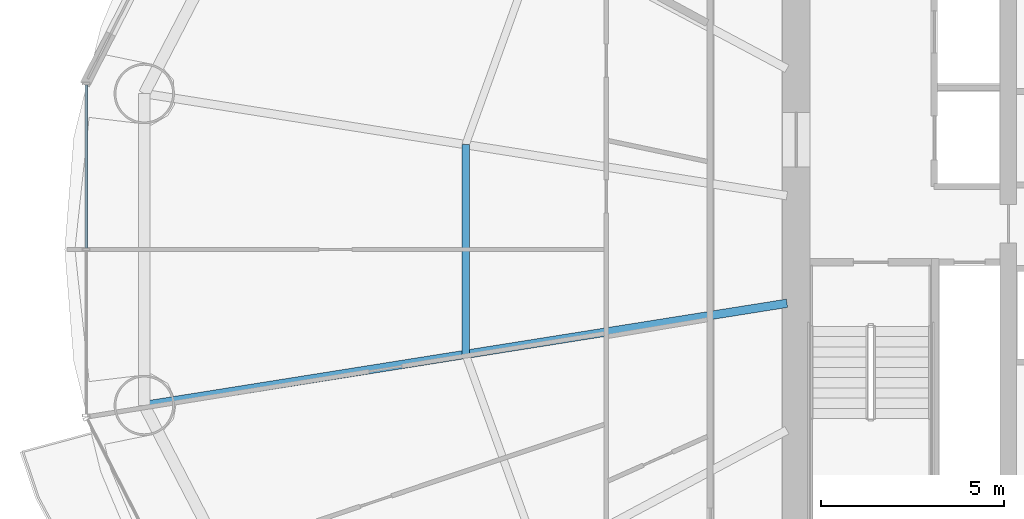
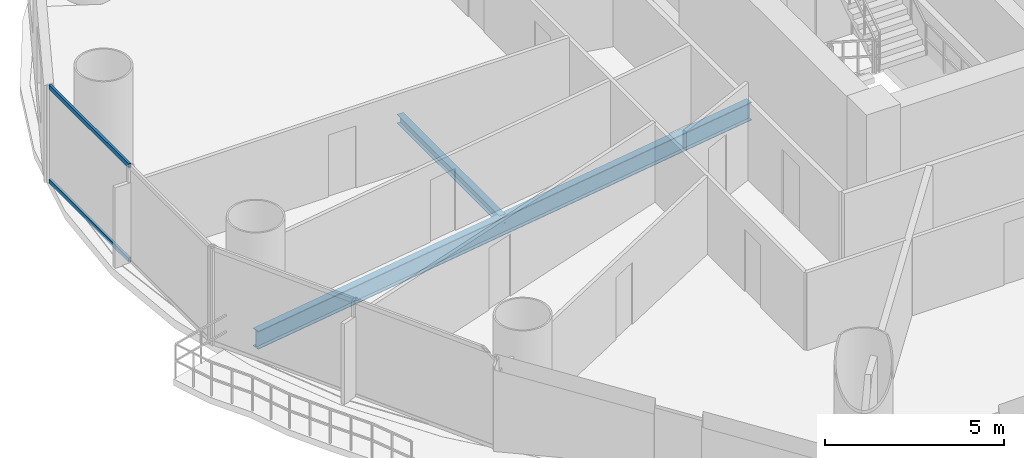
# One storey, part 7 of 29: 2 beams, 2 members, 1 element without a shape of its own.
"""IFC4 building model written with IfcOpenShell, lengths in metres."""

from ifc_helpers import new_model, si_unit, direction, frame, origin, origin_2d, place, context, subcontext, project, spatial, hollow_rectangle, i_section, extrude, source, transform, mapped, material, material_profile, profile_set, type_object, element, aggregate, save


model = new_model("IFC4")

# Units and contexts
model_context = context("Model", 3, precision=1e-05, world=origin(), true_north=direction((-0.2419218956, 0.970295726276)))
body_context = subcontext(model_context, "Body", "Model", "MODEL_VIEW")
ifc_project = project(units=[si_unit("LENGTHUNIT", "METRE"), si_unit("AREAUNIT", "SQUARE_METRE"), si_unit("VOLUMEUNIT", "CUBIC_METRE"), si_unit("PLANEANGLEUNIT", "RADIAN"), si_unit("MASSUNIT", "GRAM", prefix="KILO")], contexts=[model_context])

# Site, building, storey
site_placement = place(None, origin())
site = spatial("IfcSite", under=ifc_project, at=site_placement, CompositionType="ELEMENT")
building_placement = place(site_placement, origin())
building = spatial("IfcBuilding", under=site, at=building_placement, Name="Cobrevalo Terracotta Tower", CompositionType="ELEMENT")
storey_placement = place(building_placement, frame((0.0, 0.0, 52.800048828125)))
storey = spatial("IfcBuildingStorey", under=building, at=storey_placement, Name="L13", CompositionType="ELEMENT", Elevation=52.800048828125)

# Beams
ifc_material_1 = material(Name="Steel S355", Category="steel")
ifc_material_profile_1 = material_profile(ifc_material_1, i_section(OverallWidth=0.22998046875, OverallDepth=0.616943359375, WebThickness=0.01318359375, FlangeThickness=0.022216796875, at=origin_2d()), Name="W 610x140")
ifc_profile_set_1 = profile_set([ifc_material_profile_1], Name="Steel S355")
beam_type_1 = type_object("IfcBeamType", Name="Structural Beam W 610x140 (Steel S355)", PredefinedType="BEAM", material=ifc_profile_set_1)
beam_1_placement = place(storey_placement, frame((11.175537109375, 22.537353515625, -0.588623046875), z_axis=(0.987607924622, 0.156941349628, 0.0), x_axis=(-0.156941349628, 0.987607924622, 0.0)))
element("IfcBeam", 1, at=beam_1_placement, inside=storey, type_object=beam_type_1, Name="L13 radial floor girder 09", PredefinedType="BEAM", context=body_context, shape_type="SweptSolid", body=[
    extrude(i_section(OverallWidth=0.22998046875, OverallDepth=0.616943359375, WebThickness=0.01318359375, FlangeThickness=0.022216796875, at=origin_2d()), origin(), (0.0, 0.0, 1.0), 17.7900390625),
])
ifc_material_profile_2 = material_profile(ifc_material_1, i_section(OverallWidth=0.2041015625, OverallDepth=0.305908203125, WebThickness=0.008544921875, FlangeThickness=0.0146484375, at=origin_2d()), Name="W 310x67")
ifc_profile_set_2 = profile_set([ifc_material_profile_2], Name="Steel S355")
beam_type_2 = type_object("IfcBeamType", Name="Structural Joist W 310x67 (Steel S355)", PredefinedType="JOIST", material=ifc_profile_set_2)
beam_2_placement = place(storey_placement, frame((19.960205078125, 29.666748046875, -0.43310546875), z_axis=(0.0, -1.0, 0.0), x_axis=(1.0, 0.0, 0.0)))
element("IfcBeam", 2, at=beam_2_placement, inside=storey, type_object=beam_type_2, Name="L13 circumferential secondary floor joist 08", PredefinedType="JOIST", context=body_context, shape_type="SweptSolid", body=[
    extrude(i_section(OverallWidth=0.2041015625, OverallDepth=0.305908203125, WebThickness=0.008544921875, FlangeThickness=0.0146484375, at=origin_2d()), origin(), (0.0, 0.0, 1.0), 5.7333984375),
])

# Curtain wall, members
ifc_material_2 = material(Name="Anodized aluminium", Category="aluminium")
curtain_wall_type = type_object("IfcCurtainWallType", Name="Lower-tower unitised acoustic low-E curtain wall CW-U1", PredefinedType="NOTDEFINED", material=ifc_material_2)
curtain_wall_placement = place(storey_placement, origin())
curtain_wall = element("IfcCurtainWall", 3, at=curtain_wall_placement, inside=storey, type_object=curtain_wall_type, Name="L13 curtain wall CW-L13-S08", PredefinedType="NOTDEFINED")
ifc_material_profile_3 = material_profile(ifc_material_2, hollow_rectangle(XDim=0.074951171875, YDim=0.14990234375, WallThickness=0.00439453125, at=origin_2d()), Name="CWT 75x150")
ifc_profile_set_3 = profile_set([ifc_material_profile_3], Name="Anodized aluminium")
member_type = type_object("IfcMemberType", Name="Tower unitised aluminium transom 75x150", PredefinedType="USERDEFINED", material=ifc_profile_set_3)
shared_shape = source(origin(), body_context, "Body", "SweptSolid", [
    extrude(hollow_rectangle(XDim=0.074951171875, YDim=0.14990234375, WallThickness=0.00439453125, at=origin_2d()), origin(), (0.0, 0.0, 1.0), 4.458740234375),
])
member_1_placement = place(storey_placement, frame((9.586669921875, 31.298828125, 0.050048828125), z_axis=(0.0, -1.0, 0.0), x_axis=(1.0, 0.0, 0.0)))
member_1 = element("IfcMember", 4, at=member_1_placement, type_object=member_type, Name="CW-L13-S08 transom B01-T1", ObjectType="TRANSOM", PredefinedType="USERDEFINED", context=body_context, shape_type="MappedRepresentation", body=[
    mapped(shared_shape, transform((0.0, 0.0, 0.0), scale=1.0)),
])
member_2_placement = place(storey_placement, frame((9.586669921875, 31.298828125, 3.27001953125), z_axis=(0.0, -1.0, 0.0), x_axis=(1.0, 0.0, 0.0)))
member_2 = element("IfcMember", 5, at=member_2_placement, type_object=member_type, Name="CW-L13-S08 transom B01-T2", ObjectType="TRANSOM", PredefinedType="USERDEFINED", context=body_context, shape_type="MappedRepresentation", body=[
    mapped(shared_shape, transform((0.0, 0.0, 0.0), scale=1.0)),
])
aggregate(curtain_wall, [member_1, member_2])

save(model, "model.ifc")
